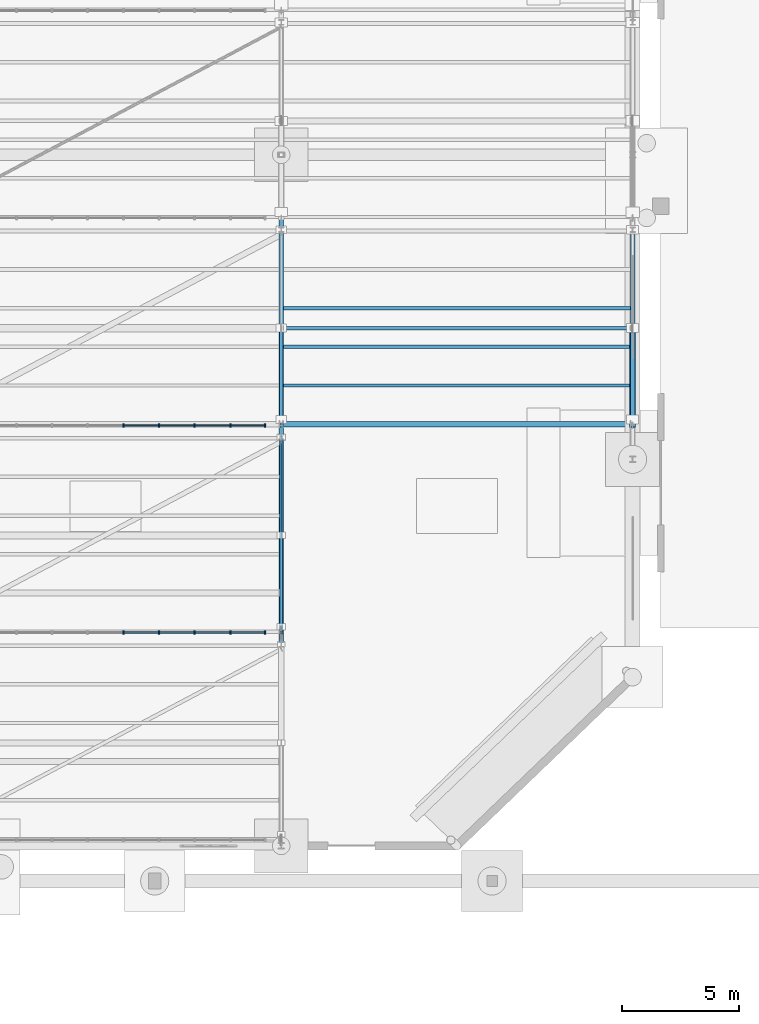
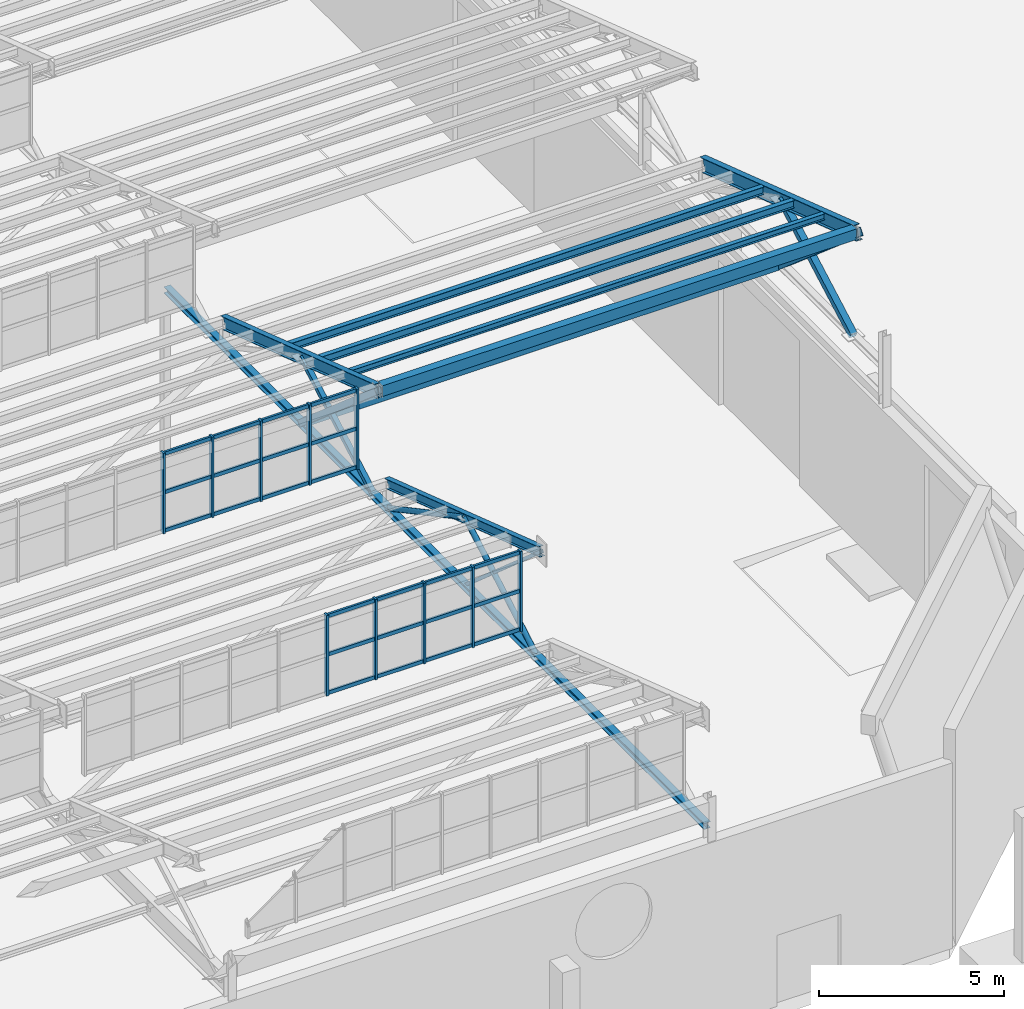
# One storey, part 119 of 285: 42 members, 8 beams, 2 elements without a shape of their own.
"""IFC4 building model written with IfcOpenShell, lengths in metres."""

from ifc_helpers import new_model, si_unit, direction, frame, origin, origin_2d, place, context, subcontext, project, spatial, rectangle, hollow_rectangle, hollow_circle, i_section, extrude, material, material_profile, profile_set, type_object, element, aggregate, save


model = new_model("IFC4")

# Units and contexts
model_context = context("Model", 3, precision=1e-05, world=origin(), true_north=direction((0.0, 1.0)))
body_context = subcontext(model_context, "Body", "Model", "MODEL_VIEW")
ifc_project = project(units=[si_unit("LENGTHUNIT", "METRE"), si_unit("AREAUNIT", "SQUARE_METRE"), si_unit("VOLUMEUNIT", "CUBIC_METRE"), si_unit("PLANEANGLEUNIT", "RADIAN"), si_unit("MASSUNIT", "GRAM", prefix="KILO")], contexts=[model_context])

# Site, building, storey
site_placement = place(None, origin())
site = spatial("IfcSite", under=ifc_project, at=site_placement, CompositionType="ELEMENT")
building_placement = place(site_placement, origin())
building = spatial("IfcBuilding", under=site, at=building_placement, Name="Solanera Park Tramway Depot", CompositionType="ELEMENT")
storey_placement = place(building_placement, origin())
storey = spatial("IfcBuildingStorey", under=building, at=storey_placement, Name="L00", CompositionType="ELEMENT", Elevation=0.0)

# Curtain wall, members
ifc_material_1 = material(Name="Bronze-anodised thermally broken aluminium curtain wall", Category="aluminium")
curtain_wall_type = type_object("IfcCurtainWallType", Name="Sawtooth Clerestory Monitor Curtain Wall", PredefinedType="NOTDEFINED", material=ifc_material_1)
curtain_wall_1_placement = place(storey_placement, origin())
curtain_wall_1 = element("IfcCurtainWall", 1, at=curtain_wall_1_placement, inside=storey, type_object=curtain_wall_type, Name="L00 Sawtooth Clerestory Monitor Curtain Wall #011", PredefinedType="NOTDEFINED")
ifc_material_2 = material(Name="Bronze-anodised structural aluminium 6063-T6", Category="aluminium")
ifc_material_profile_1 = material_profile(ifc_material_2, rectangle(XDim=0.06494140625, YDim=0.14990234375, at=origin_2d()), Name="Curtain Wall Mullion 65x150")
ifc_profile_set_1 = profile_set([ifc_material_profile_1], Name="Bronze-anodised structural aluminium 6063-T6")
member_type_1 = type_object("IfcMemberType", Name="Curtain Wall Mullion 65x150", PredefinedType="MULLION", material=ifc_profile_set_1)
member_1_placement = place(storey_placement, frame((128.260986328125, 64.60009765625, 7.75), z_axis=(0.0, 0.0, 1.0), x_axis=(1.0, 0.0, 0.0)))
member_1 = element("IfcMember", 2, at=member_1_placement, type_object=member_type_1, Name="CW-L00-011 Mullion 6", PredefinedType="MULLION", context=body_context, shape_type="SweptSolid", body=[
    extrude(rectangle(XDim=0.06494140625, YDim=0.14990234375, at=origin_2d()), origin(), (0.0, 0.0, 1.0), 2.6611328125),
])
member_2_placement = place(storey_placement, frame((129.783203125, 64.60009765625, 7.75), z_axis=(0.0, 0.0, 1.0), x_axis=(1.0, 0.0, 0.0)))
member_2 = element("IfcMember", 3, at=member_2_placement, type_object=member_type_1, Name="CW-L00-011 Mullion 7", PredefinedType="MULLION", context=body_context, shape_type="SweptSolid", body=[
    extrude(rectangle(XDim=0.06494140625, YDim=0.14990234375, at=origin_2d()), origin(), (0.0, 0.0, 1.0), 2.6611328125),
])
member_3_placement = place(storey_placement, frame((131.3056640625, 64.60009765625, 7.75), z_axis=(0.0, 0.0, 1.0), x_axis=(1.0, 0.0, 0.0)))
member_3 = element("IfcMember", 4, at=member_3_placement, type_object=member_type_1, Name="CW-L00-011 Mullion 8", PredefinedType="MULLION", context=body_context, shape_type="SweptSolid", body=[
    extrude(rectangle(XDim=0.06494140625, YDim=0.14990234375, at=origin_2d()), origin(), (0.0, 0.0, 1.0), 2.6611328125),
])
member_4_placement = place(storey_placement, frame((132.827880859375, 64.60009765625, 7.75), z_axis=(0.0, 0.0, 1.0), x_axis=(1.0, 0.0, 0.0)))
member_4 = element("IfcMember", 5, at=member_4_placement, type_object=member_type_1, Name="CW-L00-011 Mullion 9", PredefinedType="MULLION", context=body_context, shape_type="SweptSolid", body=[
    extrude(rectangle(XDim=0.06494140625, YDim=0.14990234375, at=origin_2d()), origin(), (0.0, 0.0, 1.0), 2.6611328125),
])
member_5_placement = place(storey_placement, frame((134.3173828125, 64.60009765625, 7.75), z_axis=(0.0, 0.0, 1.0), x_axis=(1.0, 0.0, 0.0)))
member_5 = element("IfcMember", 6, at=member_5_placement, type_object=member_type_1, Name="CW-L00-011 Mullion 10", PredefinedType="MULLION", context=body_context, shape_type="SweptSolid", body=[
    extrude(rectangle(XDim=0.06494140625, YDim=0.14990234375, at=origin_2d()), origin(), (0.0, 0.0, 1.0), 2.6611328125),
])

curtain_wall_2_placement = place(storey_placement, origin())
curtain_wall_2 = element("IfcCurtainWall", 7, at=curtain_wall_2_placement, inside=storey, type_object=curtain_wall_type, Name="L00 Sawtooth Clerestory Monitor Curtain Wall #019", PredefinedType="NOTDEFINED")
member_6_placement = place(storey_placement, frame((128.260986328125, 73.449951171875, 7.75), z_axis=(0.0, 0.0, 1.0), x_axis=(1.0, 0.0, 0.0)))
member_6 = element("IfcMember", 8, at=member_6_placement, type_object=member_type_1, Name="CW-L00-019 Mullion 6", PredefinedType="MULLION", context=body_context, shape_type="SweptSolid", body=[
    extrude(rectangle(XDim=0.06494140625, YDim=0.14990234375, at=origin_2d()), origin(), (0.0, 0.0, 1.0), 2.6611328125),
])
member_7_placement = place(storey_placement, frame((129.783203125, 73.449951171875, 7.75), z_axis=(0.0, 0.0, 1.0), x_axis=(1.0, 0.0, 0.0)))
member_7 = element("IfcMember", 9, at=member_7_placement, type_object=member_type_1, Name="CW-L00-019 Mullion 7", PredefinedType="MULLION", context=body_context, shape_type="SweptSolid", body=[
    extrude(rectangle(XDim=0.06494140625, YDim=0.14990234375, at=origin_2d()), origin(), (0.0, 0.0, 1.0), 2.6611328125),
])
member_8_placement = place(storey_placement, frame((131.3056640625, 73.449951171875, 7.75), z_axis=(0.0, 0.0, 1.0), x_axis=(1.0, 0.0, 0.0)))
member_8 = element("IfcMember", 10, at=member_8_placement, type_object=member_type_1, Name="CW-L00-019 Mullion 8", PredefinedType="MULLION", context=body_context, shape_type="SweptSolid", body=[
    extrude(rectangle(XDim=0.06494140625, YDim=0.14990234375, at=origin_2d()), origin(), (0.0, 0.0, 1.0), 2.6611328125),
])
member_9_placement = place(storey_placement, frame((132.827880859375, 73.449951171875, 7.75), z_axis=(0.0, 0.0, 1.0), x_axis=(1.0, 0.0, 0.0)))
member_9 = element("IfcMember", 11, at=member_9_placement, type_object=member_type_1, Name="CW-L00-019 Mullion 9", PredefinedType="MULLION", context=body_context, shape_type="SweptSolid", body=[
    extrude(rectangle(XDim=0.06494140625, YDim=0.14990234375, at=origin_2d()), origin(), (0.0, 0.0, 1.0), 2.6611328125),
])
member_10_placement = place(storey_placement, frame((134.3173828125, 73.449951171875, 7.75), z_axis=(0.0, 0.0, 1.0), x_axis=(1.0, 0.0, 0.0)))
member_10 = element("IfcMember", 12, at=member_10_placement, type_object=member_type_1, Name="CW-L00-019 Mullion 10", PredefinedType="MULLION", context=body_context, shape_type="SweptSolid", body=[
    extrude(rectangle(XDim=0.06494140625, YDim=0.14990234375, at=origin_2d()), origin(), (0.0, 0.0, 1.0), 2.6611328125),
])

# Member
ifc_material_3 = material(Name="Bronze-anodised structural aluminium 6063-T6", Category="aluminium")
ifc_material_profile_2 = material_profile(ifc_material_3, rectangle(XDim=0.06494140625, YDim=0.1201171875, at=origin_2d()), Name="Curtain Wall Transom 65x120")
ifc_profile_set_2 = profile_set([ifc_material_profile_2], Name="Bronze-anodised structural aluminium 6063-T6")
member_type_2 = type_object("IfcMemberType", Name="Curtain Wall Transom 65x120", PredefinedType="USERDEFINED", material=ifc_profile_set_2)
member_11_placement = place(storey_placement, frame((128.2890625, 64.60009765625, 7.81005859375), z_axis=(1.0, 0.0, 0.0), x_axis=(0.0, 1.0, 0.0)))
member_11 = element("IfcMember", 13, at=member_11_placement, type_object=member_type_2, Name="CW-L00-011 Transom R1.C6", ObjectType="TRANSOM", PredefinedType="USERDEFINED", context=body_context, shape_type="SweptSolid", body=[
    extrude(rectangle(XDim=0.06494140625, YDim=0.1201171875, at=origin_2d()), origin(), (0.0, 0.0, 1.0), 1.46630859375),
])

member_12_placement = place(storey_placement, frame((129.811279296875, 64.60009765625, 7.81005859375), z_axis=(1.0, 0.0, 0.0), x_axis=(0.0, 1.0, 0.0)))
member_12 = element("IfcMember", 14, at=member_12_placement, type_object=member_type_2, Name="CW-L00-011 Transom R1.C7", ObjectType="TRANSOM", PredefinedType="USERDEFINED", context=body_context, shape_type="SweptSolid", body=[
    extrude(rectangle(XDim=0.06494140625, YDim=0.1201171875, at=origin_2d()), origin(), (0.0, 0.0, 1.0), 1.46630859375),
])

member_13_placement = place(storey_placement, frame((131.33349609375, 64.60009765625, 7.81005859375), z_axis=(1.0, 0.0, 0.0), x_axis=(0.0, 1.0, 0.0)))
member_13 = element("IfcMember", 15, at=member_13_placement, type_object=member_type_2, Name="CW-L00-011 Transom R1.C8", ObjectType="TRANSOM", PredefinedType="USERDEFINED", context=body_context, shape_type="SweptSolid", body=[
    extrude(rectangle(XDim=0.06494140625, YDim=0.1201171875, at=origin_2d()), origin(), (0.0, 0.0, 1.0), 1.46630859375),
])

member_14_placement = place(storey_placement, frame((132.855712890625, 64.60009765625, 7.81005859375), z_axis=(1.0, 0.0, 0.0), x_axis=(0.0, 1.0, 0.0)))
member_14 = element("IfcMember", 16, at=member_14_placement, type_object=member_type_2, Name="CW-L00-011 Transom R1.C9", ObjectType="TRANSOM", PredefinedType="USERDEFINED", context=body_context, shape_type="SweptSolid", body=[
    extrude(rectangle(XDim=0.06494140625, YDim=0.1201171875, at=origin_2d()), origin(), (0.0, 0.0, 1.0), 1.433837890625),
])

member_15_placement = place(storey_placement, frame((128.2890625, 64.60009765625, 9.08056640625), z_axis=(1.0, 0.0, 0.0), x_axis=(0.0, 1.0, 0.0)))
member_15 = element("IfcMember", 17, at=member_15_placement, type_object=member_type_2, Name="CW-L00-011 Transom R2.C6", ObjectType="TRANSOM", PredefinedType="USERDEFINED", context=body_context, shape_type="SweptSolid", body=[
    extrude(rectangle(XDim=0.06494140625, YDim=0.1201171875, at=origin_2d()), origin(), (0.0, 0.0, 1.0), 1.46630859375),
])

member_16_placement = place(storey_placement, frame((129.811279296875, 64.60009765625, 9.08056640625), z_axis=(1.0, 0.0, 0.0), x_axis=(0.0, 1.0, 0.0)))
member_16 = element("IfcMember", 18, at=member_16_placement, type_object=member_type_2, Name="CW-L00-011 Transom R2.C7", ObjectType="TRANSOM", PredefinedType="USERDEFINED", context=body_context, shape_type="SweptSolid", body=[
    extrude(rectangle(XDim=0.06494140625, YDim=0.1201171875, at=origin_2d()), origin(), (0.0, 0.0, 1.0), 1.46630859375),
])

member_17_placement = place(storey_placement, frame((131.33349609375, 64.60009765625, 9.08056640625), z_axis=(1.0, 0.0, 0.0), x_axis=(0.0, 1.0, 0.0)))
member_17 = element("IfcMember", 19, at=member_17_placement, type_object=member_type_2, Name="CW-L00-011 Transom R2.C8", ObjectType="TRANSOM", PredefinedType="USERDEFINED", context=body_context, shape_type="SweptSolid", body=[
    extrude(rectangle(XDim=0.06494140625, YDim=0.1201171875, at=origin_2d()), origin(), (0.0, 0.0, 1.0), 1.46630859375),
])

member_18_placement = place(storey_placement, frame((132.855712890625, 64.60009765625, 9.08056640625), z_axis=(1.0, 0.0, 0.0), x_axis=(0.0, 1.0, 0.0)))
member_18 = element("IfcMember", 20, at=member_18_placement, type_object=member_type_2, Name="CW-L00-011 Transom R2.C9", ObjectType="TRANSOM", PredefinedType="USERDEFINED", context=body_context, shape_type="SweptSolid", body=[
    extrude(rectangle(XDim=0.06494140625, YDim=0.1201171875, at=origin_2d()), origin(), (0.0, 0.0, 1.0), 1.433837890625),
])

member_19_placement = place(storey_placement, frame((128.2890625, 64.60009765625, 10.351318359375), z_axis=(1.0, 0.0, 0.0), x_axis=(0.0, 1.0, 0.0)))
member_19 = element("IfcMember", 21, at=member_19_placement, type_object=member_type_2, Name="CW-L00-011 Transom R3.C6", ObjectType="TRANSOM", PredefinedType="USERDEFINED", context=body_context, shape_type="SweptSolid", body=[
    extrude(rectangle(XDim=0.06494140625, YDim=0.1201171875, at=origin_2d()), origin(), (0.0, 0.0, 1.0), 1.46630859375),
])

member_20_placement = place(storey_placement, frame((129.811279296875, 64.60009765625, 10.351318359375), z_axis=(1.0, 0.0, 0.0), x_axis=(0.0, 1.0, 0.0)))
member_20 = element("IfcMember", 22, at=member_20_placement, type_object=member_type_2, Name="CW-L00-011 Transom R3.C7", ObjectType="TRANSOM", PredefinedType="USERDEFINED", context=body_context, shape_type="SweptSolid", body=[
    extrude(rectangle(XDim=0.06494140625, YDim=0.1201171875, at=origin_2d()), origin(), (0.0, 0.0, 1.0), 1.46630859375),
])

member_21_placement = place(storey_placement, frame((131.33349609375, 64.60009765625, 10.351318359375), z_axis=(1.0, 0.0, 0.0), x_axis=(0.0, 1.0, 0.0)))
member_21 = element("IfcMember", 23, at=member_21_placement, type_object=member_type_2, Name="CW-L00-011 Transom R3.C8", ObjectType="TRANSOM", PredefinedType="USERDEFINED", context=body_context, shape_type="SweptSolid", body=[
    extrude(rectangle(XDim=0.06494140625, YDim=0.1201171875, at=origin_2d()), origin(), (0.0, 0.0, 1.0), 1.46630859375),
])

member_22_placement = place(storey_placement, frame((132.855712890625, 64.60009765625, 10.351318359375), z_axis=(1.0, 0.0, 0.0), x_axis=(0.0, 1.0, 0.0)))
member_22 = element("IfcMember", 24, at=member_22_placement, type_object=member_type_2, Name="CW-L00-011 Transom R3.C9", ObjectType="TRANSOM", PredefinedType="USERDEFINED", context=body_context, shape_type="SweptSolid", body=[
    extrude(rectangle(XDim=0.06494140625, YDim=0.1201171875, at=origin_2d()), origin(), (0.0, 0.0, 1.0), 1.433837890625),
])

aggregate(curtain_wall_1, [member_1, member_2, member_3, member_4, member_5, member_11, member_12, member_13, member_14, member_15, member_16, member_17, member_18, member_19, member_20, member_21, member_22])

member_23_placement = place(storey_placement, frame((128.2890625, 73.449951171875, 7.81005859375), z_axis=(1.0, 0.0, 0.0), x_axis=(0.0, 1.0, 0.0)))
member_23 = element("IfcMember", 25, at=member_23_placement, type_object=member_type_2, Name="CW-L00-019 Transom R1.C6", ObjectType="TRANSOM", PredefinedType="USERDEFINED", context=body_context, shape_type="SweptSolid", body=[
    extrude(rectangle(XDim=0.06494140625, YDim=0.1201171875, at=origin_2d()), origin(), (0.0, 0.0, 1.0), 1.46630859375),
])

member_24_placement = place(storey_placement, frame((129.811279296875, 73.449951171875, 7.81005859375), z_axis=(1.0, 0.0, 0.0), x_axis=(0.0, 1.0, 0.0)))
member_24 = element("IfcMember", 26, at=member_24_placement, type_object=member_type_2, Name="CW-L00-019 Transom R1.C7", ObjectType="TRANSOM", PredefinedType="USERDEFINED", context=body_context, shape_type="SweptSolid", body=[
    extrude(rectangle(XDim=0.06494140625, YDim=0.1201171875, at=origin_2d()), origin(), (0.0, 0.0, 1.0), 1.46630859375),
])

member_25_placement = place(storey_placement, frame((131.33349609375, 73.449951171875, 7.81005859375), z_axis=(1.0, 0.0, 0.0), x_axis=(0.0, 1.0, 0.0)))
member_25 = element("IfcMember", 27, at=member_25_placement, type_object=member_type_2, Name="CW-L00-019 Transom R1.C8", ObjectType="TRANSOM", PredefinedType="USERDEFINED", context=body_context, shape_type="SweptSolid", body=[
    extrude(rectangle(XDim=0.06494140625, YDim=0.1201171875, at=origin_2d()), origin(), (0.0, 0.0, 1.0), 1.46630859375),
])

member_26_placement = place(storey_placement, frame((132.855712890625, 73.449951171875, 7.81005859375), z_axis=(1.0, 0.0, 0.0), x_axis=(0.0, 1.0, 0.0)))
member_26 = element("IfcMember", 28, at=member_26_placement, type_object=member_type_2, Name="CW-L00-019 Transom R1.C9", ObjectType="TRANSOM", PredefinedType="USERDEFINED", context=body_context, shape_type="SweptSolid", body=[
    extrude(rectangle(XDim=0.06494140625, YDim=0.1201171875, at=origin_2d()), origin(), (0.0, 0.0, 1.0), 1.433837890625),
])

member_27_placement = place(storey_placement, frame((128.2890625, 73.449951171875, 9.08056640625), z_axis=(1.0, 0.0, 0.0), x_axis=(0.0, 1.0, 0.0)))
member_27 = element("IfcMember", 29, at=member_27_placement, type_object=member_type_2, Name="CW-L00-019 Transom R2.C6", ObjectType="TRANSOM", PredefinedType="USERDEFINED", context=body_context, shape_type="SweptSolid", body=[
    extrude(rectangle(XDim=0.06494140625, YDim=0.1201171875, at=origin_2d()), origin(), (0.0, 0.0, 1.0), 1.46630859375),
])

member_28_placement = place(storey_placement, frame((129.811279296875, 73.449951171875, 9.08056640625), z_axis=(1.0, 0.0, 0.0), x_axis=(0.0, 1.0, 0.0)))
member_28 = element("IfcMember", 30, at=member_28_placement, type_object=member_type_2, Name="CW-L00-019 Transom R2.C7", ObjectType="TRANSOM", PredefinedType="USERDEFINED", context=body_context, shape_type="SweptSolid", body=[
    extrude(rectangle(XDim=0.06494140625, YDim=0.1201171875, at=origin_2d()), origin(), (0.0, 0.0, 1.0), 1.46630859375),
])

member_29_placement = place(storey_placement, frame((131.33349609375, 73.449951171875, 9.08056640625), z_axis=(1.0, 0.0, 0.0), x_axis=(0.0, 1.0, 0.0)))
member_29 = element("IfcMember", 31, at=member_29_placement, type_object=member_type_2, Name="CW-L00-019 Transom R2.C8", ObjectType="TRANSOM", PredefinedType="USERDEFINED", context=body_context, shape_type="SweptSolid", body=[
    extrude(rectangle(XDim=0.06494140625, YDim=0.1201171875, at=origin_2d()), origin(), (0.0, 0.0, 1.0), 1.46630859375),
])

member_30_placement = place(storey_placement, frame((132.855712890625, 73.449951171875, 9.08056640625), z_axis=(1.0, 0.0, 0.0), x_axis=(0.0, 1.0, 0.0)))
member_30 = element("IfcMember", 32, at=member_30_placement, type_object=member_type_2, Name="CW-L00-019 Transom R2.C9", ObjectType="TRANSOM", PredefinedType="USERDEFINED", context=body_context, shape_type="SweptSolid", body=[
    extrude(rectangle(XDim=0.06494140625, YDim=0.1201171875, at=origin_2d()), origin(), (0.0, 0.0, 1.0), 1.433837890625),
])

member_31_placement = place(storey_placement, frame((128.2890625, 73.449951171875, 10.351318359375), z_axis=(1.0, 0.0, 0.0), x_axis=(0.0, 1.0, 0.0)))
member_31 = element("IfcMember", 33, at=member_31_placement, type_object=member_type_2, Name="CW-L00-019 Transom R3.C6", ObjectType="TRANSOM", PredefinedType="USERDEFINED", context=body_context, shape_type="SweptSolid", body=[
    extrude(rectangle(XDim=0.06494140625, YDim=0.1201171875, at=origin_2d()), origin(), (0.0, 0.0, 1.0), 1.46630859375),
])

member_32_placement = place(storey_placement, frame((129.811279296875, 73.449951171875, 10.351318359375), z_axis=(1.0, 0.0, 0.0), x_axis=(0.0, 1.0, 0.0)))
member_32 = element("IfcMember", 34, at=member_32_placement, type_object=member_type_2, Name="CW-L00-019 Transom R3.C7", ObjectType="TRANSOM", PredefinedType="USERDEFINED", context=body_context, shape_type="SweptSolid", body=[
    extrude(rectangle(XDim=0.06494140625, YDim=0.1201171875, at=origin_2d()), origin(), (0.0, 0.0, 1.0), 1.46630859375),
])

member_33_placement = place(storey_placement, frame((131.33349609375, 73.449951171875, 10.351318359375), z_axis=(1.0, 0.0, 0.0), x_axis=(0.0, 1.0, 0.0)))
member_33 = element("IfcMember", 35, at=member_33_placement, type_object=member_type_2, Name="CW-L00-019 Transom R3.C8", ObjectType="TRANSOM", PredefinedType="USERDEFINED", context=body_context, shape_type="SweptSolid", body=[
    extrude(rectangle(XDim=0.06494140625, YDim=0.1201171875, at=origin_2d()), origin(), (0.0, 0.0, 1.0), 1.46630859375),
])

member_34_placement = place(storey_placement, frame((132.855712890625, 73.449951171875, 10.351318359375), z_axis=(1.0, 0.0, 0.0), x_axis=(0.0, 1.0, 0.0)))
member_34 = element("IfcMember", 36, at=member_34_placement, type_object=member_type_2, Name="CW-L00-019 Transom R3.C9", ObjectType="TRANSOM", PredefinedType="USERDEFINED", context=body_context, shape_type="SweptSolid", body=[
    extrude(rectangle(XDim=0.06494140625, YDim=0.1201171875, at=origin_2d()), origin(), (0.0, 0.0, 1.0), 1.433837890625),
])

aggregate(curtain_wall_2, [member_6, member_7, member_8, member_9, member_10, member_23, member_24, member_25, member_26, member_27, member_28, member_29, member_30, member_31, member_32, member_33, member_34])

# Members
ifc_material_4 = material(Name="Steel AS/NZS 1163 Grade C350L0", Category="steel")
ifc_material_profile_3 = material_profile(ifc_material_4, hollow_rectangle(XDim=0.14990234375, YDim=0.14990234375, WallThickness=0.006103515625, at=origin_2d()), Name="150x150x6.0 SHS")
ifc_profile_set_3 = profile_set([ifc_material_profile_3], Name="Steel AS/NZS 1163 Grade C350L0")
member_type_3 = type_object("IfcMemberType", Name="Roof Gantry Compression Strut 150x150x6.0 SHS", PredefinedType="STRUT", material=ifc_profile_set_3)
member_35_placement = place(storey_placement, frame((135.0, 73.699951171875, 6.5), z_axis=(0.0, 0.871644015716, 0.490139480011), x_axis=(-1.0, 0.0, 0.0)))
element("IfcMember", 37, at=member_35_placement, inside=storey, type_object=member_type_3, Name="Sawtooth ROOF TRUSS Strut 150x150x6.0 SHS #0114", PredefinedType="STRUT", context=body_context, shape_type="SweptSolid", body=[
    extrude(hollow_rectangle(XDim=0.14990234375, YDim=0.14990234375, WallThickness=0.006103515625, at=origin_2d()), origin(), (0.0, 0.0, 1.0), 4.474365234375),
])
ifc_material_5 = material(Name="Steel AS/NZS 1163 Grade C350L0", Category="steel")
ifc_material_profile_4 = material_profile(ifc_material_5, hollow_circle(Radius=0.084228515625, WallThickness=0.00634765625, at=origin_2d()), Name="168.3x6.4 CHS")
ifc_profile_set_4 = profile_set([ifc_material_profile_4], Name="Steel AS/NZS 1163 Grade C350L0")
member_type_4 = type_object("IfcMemberType", Name="Roof Gantry Compression Strut 168.3x6.4 CHS", PredefinedType="STRUT", material=ifc_profile_set_4)
member_36_placement = place(storey_placement, frame((135.0, 64.85009765625, 6.5), z_axis=(0.0, 0.866884023838, 0.498509868723), x_axis=(-1.0, 0.0, 0.0)))
element("IfcMember", 38, at=member_36_placement, inside=storey, type_object=member_type_4, Name="Sawtooth ROOF TRUSS Strut 168.3x6.4 CHS #0072", PredefinedType="STRUT", context=body_context, shape_type="SweptSolid", body=[
    extrude(hollow_circle(Radius=0.084228515625, WallThickness=0.00634765625, at=origin_2d()), origin(), (0.0, 0.0, 1.0), 4.498779296875),
])
ifc_material_6 = material(Name="Steel AS/NZS 1163 Grade C350L0", Category="steel")
ifc_material_profile_5 = material_profile(ifc_material_6, hollow_rectangle(XDim=0.199951171875, YDim=0.199951171875, WallThickness=0.008056640625, at=origin_2d()), Name="200x200x8.0 SHS")
ifc_profile_set_5 = profile_set([ifc_material_profile_5], Name="Steel AS/NZS 1163 Grade C350L0")
member_type_5 = type_object("IfcMemberType", Name="Roof Gantry Compression Strut 200x200x8.0 SHS", PredefinedType="STRUT", material=ifc_profile_set_5)
member_37_placement = place(storey_placement, frame((150.0, 73.699951171875, 6.5), z_axis=(0.0, 0.874087581692, 0.485768359954), x_axis=(-1.0, 0.0, 0.0)))
element("IfcMember", 39, at=member_37_placement, inside=storey, type_object=member_type_5, Name="Sawtooth ROOF TRUSS Strut 200x200x8.0 SHS #0117", PredefinedType="STRUT", context=body_context, shape_type="SweptSolid", body=[
    extrude(hollow_rectangle(XDim=0.199951171875, YDim=0.199951171875, WallThickness=0.008056640625, at=origin_2d()), origin(), (0.0, 0.0, 1.0), 4.4619140625),
])
ifc_material_7 = material(Name="Steel AS/NZS 1163 Grade C350L0", Category="steel")
ifc_material_profile_6 = material_profile(ifc_material_7, hollow_rectangle(XDim=0.14990234375, YDim=0.25, WallThickness=0.008056640625, at=origin_2d()), Name="250x150x8.0 RHS")
ifc_profile_set_6 = profile_set([ifc_material_profile_6], Name="Steel AS/NZS 1163 Grade C350L0")
member_type_6 = type_object("IfcMemberType", Name="Secondary Truss Chord 250x150x8.0 RHS", PredefinedType="CHORD", material=ifc_profile_set_6)
member_38_placement = place(storey_placement, frame((135.087890625, 77.60009765625, 6.5), z_axis=(1.0, 0.0, 0.0), x_axis=(0.0, 1.0, 0.0)))
element("IfcMember", 40, at=member_38_placement, inside=storey, type_object=member_type_6, Name="Sawtooth Longitudinal Tie Chord 250x150x8.0 RHS #0131", PredefinedType="CHORD", context=body_context, shape_type="SweptSolid", body=[
    extrude(hollow_rectangle(XDim=0.14990234375, YDim=0.25, WallThickness=0.008056640625, at=origin_2d()), origin(), (0.0, 0.0, 1.0), 14.82421875),
])

# Beams
ifc_material_8 = material(Name="Steel AS/NZS 3679.1 Grade 350", Category="steel")
ifc_material_profile_7 = material_profile(ifc_material_8, i_section(OverallWidth=0.203369140625, OverallDepth=0.203369140625, WebThickness=0.00732421875, FlangeThickness=0.010986328125, at=origin_2d()), Name="200UC46.2")
ifc_profile_set_7 = profile_set([ifc_material_profile_7], Name="Steel AS/NZS 3679.1 Grade 350")
beam_type_1 = type_object("IfcBeamType", Name="Steel Beam 200UC46.2", PredefinedType="BEAM", material=ifc_profile_set_7)
beam_1_placement = place(storey_placement, frame((135.0, 55.6279296875, 6.5), z_axis=(0.0, 1.0, 0.0), x_axis=(-1.0, 0.0, 0.0)))
element("IfcBeam", 41, at=beam_1_placement, inside=storey, type_object=beam_type_1, Name="Sawtooth ROOF TRUSS Bottom Chord 200UC46.2 #0394", PredefinedType="BEAM", context=body_context, shape_type="SweptSolid", body=[
    extrude(i_section(OverallWidth=0.203369140625, OverallDepth=0.203369140625, WebThickness=0.00732421875, FlangeThickness=0.010986328125, at=origin_2d()), origin(), (0.0, 0.0, 1.0), 29.27197265625),
])
ifc_material_9 = material(Name="Steel AS/NZS 3679.1 Grade 350", Category="steel")
ifc_material_profile_8 = material_profile(ifc_material_9, i_section(OverallWidth=0.166015625, OverallDepth=0.30712890625, WebThickness=0.006591796875, FlangeThickness=0.01171875, at=origin_2d()), Name="310UB46.2")
ifc_profile_set_8 = profile_set([ifc_material_profile_8], Name="Steel AS/NZS 3679.1 Grade 350")
beam_type_2 = type_object("IfcBeamType", Name="Steel Beam 310UB46.2", PredefinedType="BEAM", material=ifc_profile_set_8)
beam_2_placement = place(storey_placement, frame((135.0, 64.60009765625, 10.131103515625), z_axis=(0.0, 0.948327781215, -0.317292324799), x_axis=(-1.0, 0.0, 0.0)))
element("IfcBeam", 42, at=beam_2_placement, inside=storey, type_object=beam_type_2, Name="Sawtooth ROOF TRUSS Top Rafter 310UB46.2 B02-T9", PredefinedType="BEAM", context=body_context, shape_type="SweptSolid", body=[
    extrude(i_section(OverallWidth=0.166015625, OverallDepth=0.30712890625, WebThickness=0.006591796875, FlangeThickness=0.01171875, at=origin_2d()), origin(), (0.0, 0.0, 1.0), 8.804931640625),
])
ifc_material_10 = material(Name="Steel AS/NZS 3679.1 Grade 350", Category="steel")
ifc_material_profile_9 = material_profile(ifc_material_10, i_section(OverallWidth=0.177734375, OverallDepth=0.406494140625, WebThickness=0.0078125, FlangeThickness=0.0126953125, at=origin_2d()), Name="410UB59.7")
ifc_profile_set_9 = profile_set([ifc_material_profile_9], Name="Steel AS/NZS 3679.1 Grade 350")
beam_type_3 = type_object("IfcBeamType", Name="Steel Beam 410UB59.7", PredefinedType="BEAM", material=ifc_profile_set_9)
beam_3_placement = place(storey_placement, frame((135.0, 73.449951171875, 10.08154296875), z_axis=(0.0, 0.948322229475, -0.317308917435), x_axis=(-1.0, 0.0, 0.0)))
element("IfcBeam", 43, at=beam_3_placement, inside=storey, type_object=beam_type_3, Name="Sawtooth ROOF TRUSS Top Rafter 410UB59.7 B03-T10", PredefinedType="BEAM", context=body_context, shape_type="SweptSolid", body=[
    extrude(i_section(OverallWidth=0.177734375, OverallDepth=0.406494140625, WebThickness=0.0078125, FlangeThickness=0.0126953125, at=origin_2d()), origin(), (0.0, 0.0, 1.0), 8.80517578125),
])
ifc_material_11 = material(Name="Steel AS/NZS 3679.1 Grade 350", Category="steel")
ifc_material_profile_10 = material_profile(ifc_material_11, i_section(OverallWidth=0.1904296875, OverallDepth=0.45751953125, WebThickness=0.009033203125, FlangeThickness=0.014404296875, at=origin_2d()), Name="460UB74.6")
ifc_profile_set_10 = profile_set([ifc_material_profile_10], Name="Steel AS/NZS 3679.1 Grade 350")
beam_type_4 = type_object("IfcBeamType", Name="Steel Beam 460UB74.6", PredefinedType="BEAM", material=ifc_profile_set_10)
beam_4_placement = place(storey_placement, frame((150.0, 73.449951171875, 10.05615234375), z_axis=(0.0, 0.948322229475, -0.317308917435), x_axis=(-1.0, 0.0, 0.0)))
element("IfcBeam", 44, at=beam_4_placement, inside=storey, type_object=beam_type_4, Name="Sawtooth ROOF TRUSS Top Rafter 460UB74.6 B03-T11", PredefinedType="BEAM", context=body_context, shape_type="SweptSolid", body=[
    extrude(i_section(OverallWidth=0.1904296875, OverallDepth=0.45751953125, WebThickness=0.009033203125, FlangeThickness=0.014404296875, at=origin_2d()), origin(), (0.0, 0.0, 1.0), 8.80517578125),
])
ifc_material_12 = material(Name="Steel AS/NZS 3679.1 Grade 350", Category="steel")
ifc_material_profile_11 = material_profile(ifc_material_12, i_section(OverallWidth=0.13330078125, OverallDepth=0.203125, WebThickness=0.005859375, FlangeThickness=0.0078125, at=origin_2d()), Name="200UB25.4")
ifc_profile_set_11 = profile_set([ifc_material_profile_11], Name="Steel AS/NZS 3679.1 Grade 350")
beam_type_5 = type_object("IfcBeamType", Name="Steel Joist Purlin 200UB25.4", PredefinedType="JOIST", material=ifc_profile_set_11)
beam_5_placement = place(storey_placement, frame((135.080810546875, 75.14990234375, 9.614013671875), z_axis=(1.0, 0.0, 0.0), x_axis=(0.0, 1.0, 0.0)))
element("IfcBeam", 45, at=beam_5_placement, inside=storey, type_object=beam_type_5, Name="Sawtooth Roof Purlin 200UB25.4 B03.2", PredefinedType="JOIST", context=body_context, shape_type="SweptSolid", body=[
    extrude(i_section(OverallWidth=0.13330078125, OverallDepth=0.203125, WebThickness=0.005859375, FlangeThickness=0.0078125, at=origin_2d()), origin(), (0.0, 0.0, 1.0), 14.83203125),
])
ifc_material_13 = material(Name="Steel AS/NZS 3679.1 Grade 350", Category="steel")
ifc_material_profile_12 = material_profile(ifc_material_13, i_section(OverallWidth=0.14599609375, OverallDepth=0.251708984375, WebThickness=0.006103515625, FlangeThickness=0.008544921875, at=origin_2d()), Name="250UB31.4")
ifc_profile_set_12 = profile_set([ifc_material_profile_12], Name="Steel AS/NZS 3679.1 Grade 350")
beam_type_6 = type_object("IfcBeamType", Name="Steel Joist Purlin 250UB31.4", PredefinedType="JOIST", material=ifc_profile_set_12)
beam_6_placement = place(storey_placement, frame((135.080810546875, 76.800048828125, 9.03564453125), z_axis=(1.0, 0.0, 0.0), x_axis=(0.0, 1.0, 0.0)))
element("IfcBeam", 46, at=beam_6_placement, inside=storey, type_object=beam_type_6, Name="Sawtooth Roof Purlin 250UB31.4 B03.3", PredefinedType="JOIST", context=body_context, shape_type="SweptSolid", body=[
    extrude(i_section(OverallWidth=0.14599609375, OverallDepth=0.251708984375, WebThickness=0.006103515625, FlangeThickness=0.008544921875, at=origin_2d()), origin(), (0.0, 0.0, 1.0), 14.83203125),
])
ifc_material_14 = material(Name="Steel AS/NZS 3679.1 Grade 350", Category="steel")
ifc_material_profile_13 = material_profile(ifc_material_14, i_section(OverallWidth=0.146484375, OverallDepth=0.256103515625, WebThickness=0.00634765625, FlangeThickness=0.010986328125, at=origin_2d()), Name="250UB37.3")
ifc_profile_set_13 = profile_set([ifc_material_profile_13], Name="Steel AS/NZS 3679.1 Grade 350")
beam_type_7 = type_object("IfcBeamType", Name="Steel Joist Purlin 250UB37.3", PredefinedType="JOIST", material=ifc_profile_set_13)
beam_7_placement = place(storey_placement, frame((135.080810546875, 78.449951171875, 8.481201171875), z_axis=(1.0, 0.0, 0.0), x_axis=(0.0, 1.0, 0.0)))
element("IfcBeam", 47, at=beam_7_placement, inside=storey, type_object=beam_type_7, Name="Sawtooth Roof Purlin 250UB37.3 B03.4", PredefinedType="JOIST", context=body_context, shape_type="SweptSolid", body=[
    extrude(i_section(OverallWidth=0.146484375, OverallDepth=0.256103515625, WebThickness=0.00634765625, FlangeThickness=0.010986328125, at=origin_2d()), origin(), (0.0, 0.0, 1.0), 14.83203125),
])
ifc_material_15 = material(Name="Steel AS/NZS 1163 Grade C350L0", Category="steel")
ifc_material_profile_14 = material_profile(ifc_material_15, hollow_rectangle(XDim=0.25, YDim=0.35009765625, WallThickness=0.010009765625, at=origin_2d()), Name="350x250x10.0 RHS")
ifc_profile_set_14 = profile_set([ifc_material_profile_14], Name="Steel AS/NZS 1163 Grade C350L0")
beam_type_8 = type_object("IfcBeamType", Name="Steel Joist Purlin 350x250x10.0 RHS", PredefinedType="JOIST", material=ifc_profile_set_14)
beam_8_placement = place(storey_placement, frame((135.080810546875, 73.5, 10.0732421875), z_axis=(1.0, 0.0, 0.0), x_axis=(0.0, 1.0, 0.0)))
element("IfcBeam", 48, at=beam_8_placement, inside=storey, type_object=beam_type_8, Name="Sawtooth Roof Purlin 350x250x10.0 RHS B03.1", PredefinedType="JOIST", context=body_context, shape_type="SweptSolid", body=[
    extrude(hollow_rectangle(XDim=0.25, YDim=0.35009765625, WallThickness=0.010009765625, at=origin_2d()), origin(), (0.0, 0.0, 1.0), 14.83203125),
])

# Members
ifc_material_16 = material(Name="Steel AS/NZS 1163 Grade C350L0", Category="steel")
ifc_material_profile_15 = material_profile(ifc_material_16, hollow_rectangle(XDim=0.10009765625, YDim=0.10009765625, WallThickness=0.0048828125, at=origin_2d()), Name="100x100x5.0 SHS")
ifc_profile_set_15 = profile_set([ifc_material_profile_15], Name="Steel AS/NZS 1163 Grade C350L0")
member_type_7 = type_object("IfcMemberType", Name="Truss and Frame Brace 100x100x5.0 SHS", PredefinedType="BRACE", material=ifc_profile_set_15)
member_39_placement = place(storey_placement, frame((135.0, 68.75, 6.5), z_axis=(0.0, -0.752582180048, 0.658498338855), x_axis=(1.0, 0.0, 0.0)))
element("IfcMember", 49, at=member_39_placement, inside=storey, type_object=member_type_7, Name="Sawtooth ROOF TRUSS Web Brace 100x100x5.0 SHS #0070", PredefinedType="BRACE", context=body_context, shape_type="SweptSolid", body=[
    extrude(hollow_rectangle(XDim=0.10009765625, YDim=0.10009765625, WallThickness=0.0048828125, at=origin_2d()), origin(), (0.0, 0.0, 1.0), 5.51416015625),
])
ifc_material_17 = material(Name="Steel AS/NZS 1163 Grade C350L0", Category="steel")
ifc_material_profile_16 = material_profile(ifc_material_17, hollow_circle(Radius=0.084228515625, WallThickness=0.00634765625, at=origin_2d()), Name="168.3x6.4 CHS")
ifc_profile_set_16 = profile_set([ifc_material_profile_16], Name="Steel AS/NZS 1163 Grade C350L0")
member_type_8 = type_object("IfcMemberType", Name="Truss and Frame Brace 168.3x6.4 CHS", PredefinedType="BRACE", material=ifc_profile_set_16)
member_40_placement = place(storey_placement, frame((135.0, 72.949951171875, 6.5), z_axis=(0.0, -0.882117205046, 0.471029974165), x_axis=(1.0, 0.0, 0.0)))
element("IfcMember", 50, at=member_40_placement, inside=storey, type_object=member_type_8, Name="Sawtooth ROOF TRUSS Diagonal 168.3x6.4 CHS #0071", PredefinedType="BRACE", context=body_context, shape_type="SweptSolid", body=[
    extrude(hollow_circle(Radius=0.084228515625, WallThickness=0.00634765625, at=origin_2d()), origin(), (0.0, 0.0, 1.0), 4.76123046875),
])
ifc_material_18 = material(Name="Steel AS/NZS 1163 Grade C350L0", Category="steel")
ifc_material_profile_17 = material_profile(ifc_material_18, hollow_rectangle(XDim=0.199951171875, YDim=0.199951171875, WallThickness=0.008056640625, at=origin_2d()), Name="200x200x8.0 SHS")
ifc_profile_set_17 = profile_set([ifc_material_profile_17], Name="Steel AS/NZS 1163 Grade C350L0")
member_type_9 = type_object("IfcMemberType", Name="Truss and Frame Brace 200x200x8.0 SHS", PredefinedType="BRACE", material=ifc_profile_set_17)
member_41_placement = place(storey_placement, frame((135.0, 77.60009765625, 6.5), z_axis=(0.0, -0.757064292854, 0.653340383327), x_axis=(1.0, 0.0, 0.0)))
element("IfcMember", 51, at=member_41_placement, inside=storey, type_object=member_type_9, Name="Sawtooth ROOF TRUSS Web Brace 200x200x8.0 SHS #0112", PredefinedType="BRACE", context=body_context, shape_type="SweptSolid", body=[
    extrude(hollow_rectangle(XDim=0.199951171875, YDim=0.199951171875, WallThickness=0.008056640625, at=origin_2d()), origin(), (0.0, 0.0, 1.0), 5.48193359375),
])
ifc_material_19 = material(Name="Steel AS/NZS 1163 Grade C350L0", Category="steel")
ifc_material_profile_18 = material_profile(ifc_material_19, hollow_rectangle(XDim=0.25, YDim=0.25, WallThickness=0.010009765625, at=origin_2d()), Name="250x250x10.0 SHS")
ifc_profile_set_18 = profile_set([ifc_material_profile_18], Name="Steel AS/NZS 1163 Grade C350L0")
member_type_10 = type_object("IfcMemberType", Name="Truss and Frame Brace 250x250x10.0 SHS", PredefinedType="BRACE", material=ifc_profile_set_18)
member_42_placement = place(storey_placement, frame((150.0, 77.60009765625, 6.5), z_axis=(0.0, -0.759357496503, 0.650673645159), x_axis=(1.0, 0.0, 0.0)))
element("IfcMember", 52, at=member_42_placement, inside=storey, type_object=member_type_10, Name="Sawtooth ROOF TRUSS Web Brace 250x250x10.0 SHS #0115", PredefinedType="BRACE", context=body_context, shape_type="SweptSolid", body=[
    extrude(hollow_rectangle(XDim=0.25, YDim=0.25, WallThickness=0.010009765625, at=origin_2d()), origin(), (0.0, 0.0, 1.0), 5.46533203125),
])

save(model, "model.ifc")
